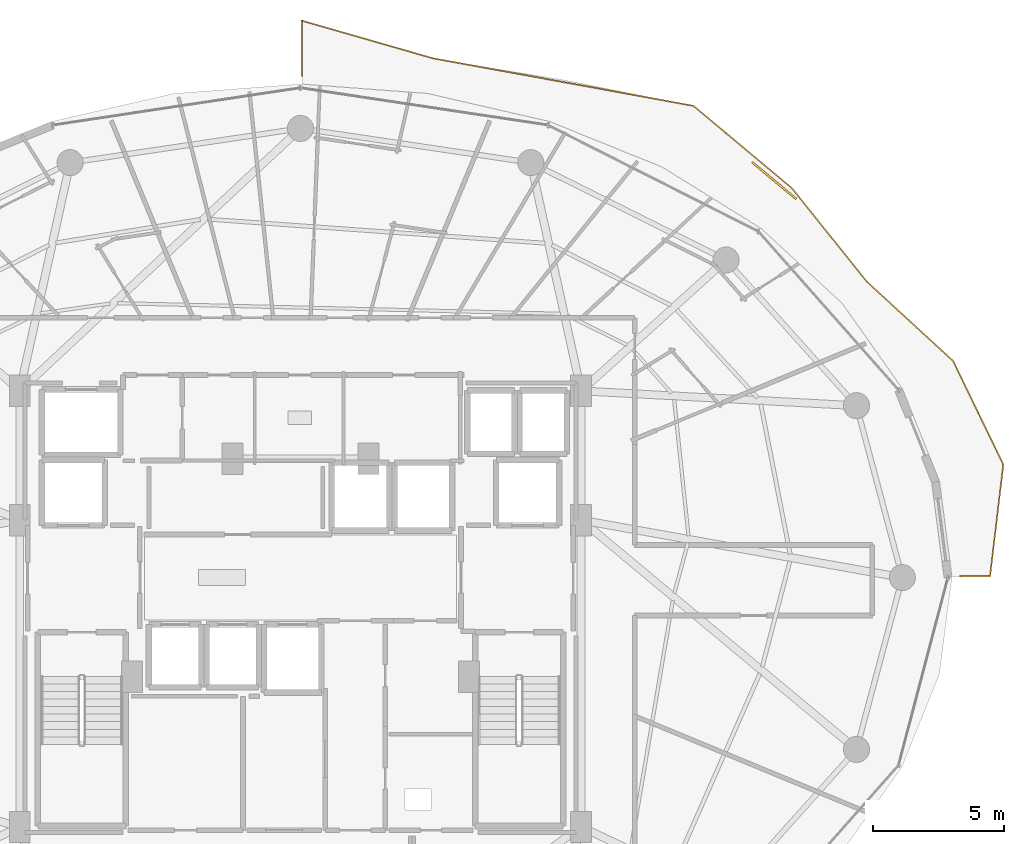
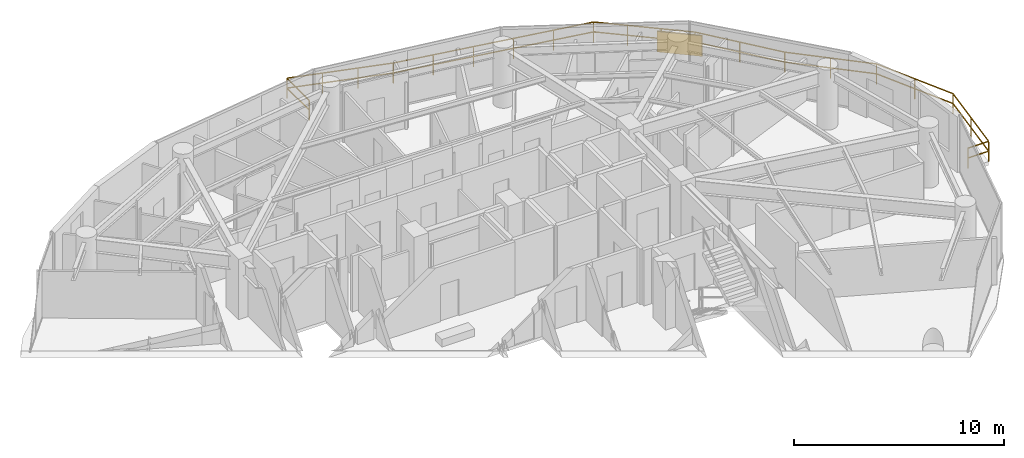
# One storey, part 27 of 28: 2 railings, 1 shading device.
"""IFC4 building model written with IfcOpenShell, lengths in metres."""

from ifc_helpers import new_model, si_unit, direction, frame, origin, origin_2d, place, context, subcontext, project, spatial, rectangle, extrude, material, type_object, element, save


model = new_model("IFC4")

# Units and contexts
model_context = context("Model", 3, precision=1e-05, world=origin(), true_north=direction((0.0, 1.0)))
body_context = subcontext(model_context, "Body", "Model", "MODEL_VIEW")
ifc_project = project(units=[si_unit("LENGTHUNIT", "METRE"), si_unit("AREAUNIT", "SQUARE_METRE"), si_unit("VOLUMEUNIT", "CUBIC_METRE"), si_unit("PLANEANGLEUNIT", "RADIAN"), si_unit("MASSUNIT", "GRAM", prefix="KILO")], contexts=[model_context])

# Site, building, storey
site_placement = place(None, origin())
site = spatial("IfcSite", under=ifc_project, at=site_placement, CompositionType="ELEMENT")
building_placement = place(site_placement, origin())
building = spatial("IfcBuilding", under=site, at=building_placement, Name="Vorneva Point Tower", CompositionType="ELEMENT")
storey_placement = place(building_placement, frame((0.0, 0.0, 139.60009765625)))
storey = spatial("IfcBuildingStorey", under=building, at=storey_placement, Name="L37", CompositionType="ELEMENT", Elevation=139.60009765625)

# Railings
ifc_material = material(Name="Pale anodised aluminium", Category="aluminium")
railing_type = type_object("IfcRailingType", Name="RL-BAL-1200", PredefinedType="BALUSTRADE", material=ifc_material)
railing_1_placement = place(storey_placement, frame((38.050048828125, 47.33056640625, 0.0)))
element("IfcRailing", 1, at=railing_1_placement, inside=storey, type_object=railing_type, Name="L37 Wave Balcony Balustrade NE.1", PredefinedType="BALUSTRADE", context=body_context, shape_type="SweptSolid", body=[
    extrude(rectangle(XDim=0.048095703125, YDim=0.048095703125, at=origin_2d()), frame((0.0, 0.0, 1.17578125), z_axis=(0.0, -1.0, 0.0), x_axis=(1.0, 0.0, 0.0)), (0.0, 0.0, 1.0), 2.11328125),
    extrude(rectangle(XDim=0.048095703125, YDim=0.048095703125, at=origin_2d()), frame((0.0, 0.0, 0.60009765625), z_axis=(0.0, -1.0, 0.0), x_axis=(1.0, 0.0, 0.0)), (0.0, 0.0, 1.0), 2.11328125),
    extrude(rectangle(XDim=0.0419921875, YDim=0.0419921875, at=origin_2d()), origin(), (0.0, 0.0, 1.0), 1.15185546875),
    extrude(rectangle(XDim=0.0419921875, YDim=0.0419921875, at=origin_2d()), frame((0.0, -2.11328125, 0.0)), (0.0, 0.0, 1.0), 1.15185546875),
])
railing_2_placement = place(storey_placement, frame((63.26611328125, 26.050048828125, 0.0)))
element("IfcRailing", 2, at=railing_2_placement, inside=storey, type_object=railing_type, Name="L37 Wave Balcony Balustrade NE.2", PredefinedType="BALUSTRADE", context=body_context, shape_type="SweptSolid", body=[
    extrude(rectangle(XDim=0.048095703125, YDim=0.048095703125, at=origin_2d()), frame((0.0, 0.0, 1.17578125), z_axis=(1.0, 0.0, 0.0), x_axis=(0.0, 1.0, 0.0)), (0.0, 0.0, 1.0), 1.144775390625),
    extrude(rectangle(XDim=0.048095703125, YDim=0.048095703125, at=origin_2d()), frame((0.0, 0.0, 0.60009765625), z_axis=(1.0, 0.0, 0.0), x_axis=(0.0, 1.0, 0.0)), (0.0, 0.0, 1.0), 1.144775390625),
    extrude(rectangle(XDim=0.048095703125, YDim=0.048095703125, at=origin_2d()), frame((1.144775390625, 0.0, 1.17578125), z_axis=(0.11803736468, 0.993009154308, 0.0), x_axis=(-0.993009154308, 0.11803736468, 0.0)), (0.0, 0.0, 1.0), 4.310302734375),
    extrude(rectangle(XDim=0.048095703125, YDim=0.048095703125, at=origin_2d()), frame((1.144775390625, 0.0, 0.60009765625), z_axis=(0.11803736468, 0.993009154308, 0.0), x_axis=(-0.993009154308, 0.11803736468, 0.0)), (0.0, 0.0, 1.0), 4.310302734375),
    extrude(rectangle(XDim=0.048095703125, YDim=0.048095703125, at=origin_2d()), frame((1.653564453125, 4.2802734375, 1.17578125), z_axis=(-0.436213714264, 0.899843094927, 0.0), x_axis=(-0.899843094927, -0.436213714264, 0.0)), (0.0, 0.0, 1.0), 4.407958984375),
    extrude(rectangle(XDim=0.048095703125, YDim=0.048095703125, at=origin_2d()), frame((1.653564453125, 4.2802734375, 0.60009765625), z_axis=(-0.436213714264, 0.899843094927, 0.0), x_axis=(-0.899843094927, -0.436213714264, 0.0)), (0.0, 0.0, 1.0), 4.407958984375),
    extrude(rectangle(XDim=0.048095703125, YDim=0.048095703125, at=origin_2d()), frame((-0.269287109375, 8.246826171875, 1.17578125), z_axis=(-0.735992788181, 0.67698937639, 0.0), x_axis=(-0.67698937639, -0.735992788181, 0.0)), (0.0, 0.0, 1.0), 4.489501953125),
    extrude(rectangle(XDim=0.048095703125, YDim=0.048095703125, at=origin_2d()), frame((-0.269287109375, 8.246826171875, 0.60009765625), z_axis=(-0.735992788181, 0.67698937639, 0.0), x_axis=(-0.67698937639, -0.735992788181, 0.0)), (0.0, 0.0, 1.0), 4.489501953125),
    extrude(rectangle(XDim=0.048095703125, YDim=0.048095703125, at=origin_2d()), frame((-3.573486328125, 11.2861328125, 1.17578125), z_axis=(-0.625595847839, 0.780147316324, 0.0), x_axis=(-0.780147316324, -0.625595847839, 0.0)), (0.0, 0.0, 1.0), 4.592041015625),
    extrude(rectangle(XDim=0.048095703125, YDim=0.048095703125, at=origin_2d()), frame((-3.573486328125, 11.2861328125, 0.60009765625), z_axis=(-0.625595847839, 0.780147316324, 0.0), x_axis=(-0.780147316324, -0.625595847839, 0.0)), (0.0, 0.0, 1.0), 4.592041015625),
    extrude(rectangle(XDim=0.048095703125, YDim=0.048095703125, at=origin_2d()), frame((-6.4462890625, 14.86865234375, 1.17578125), z_axis=(-0.767360639306, 0.64121575873, 0.0), x_axis=(-0.64121575873, -0.767360639306, 0.0)), (0.0, 0.0, 1.0), 4.91015625),
    extrude(rectangle(XDim=0.048095703125, YDim=0.048095703125, at=origin_2d()), frame((-6.4462890625, 14.86865234375, 0.60009765625), z_axis=(-0.767360639306, 0.64121575873, 0.0), x_axis=(-0.64121575873, -0.767360639306, 0.0)), (0.0, 0.0, 1.0), 4.91015625),
    extrude(rectangle(XDim=0.048095703125, YDim=0.048095703125, at=origin_2d()), frame((-10.214111328125, 18.01708984375, 1.17578125), z_axis=(-0.98373796835, 0.17960960338, 0.0), x_axis=(-0.17960960338, -0.98373796835, 0.0)), (0.0, 0.0, 1.0), 10.145751953125),
    extrude(rectangle(XDim=0.048095703125, YDim=0.048095703125, at=origin_2d()), frame((-10.214111328125, 18.01708984375, 0.60009765625), z_axis=(-0.98373796835, 0.17960960338, 0.0), x_axis=(-0.17960960338, -0.98373796835, 0.0)), (0.0, 0.0, 1.0), 10.145751953125),
    extrude(rectangle(XDim=0.048095703125, YDim=0.048095703125, at=origin_2d()), frame((-20.19482421875, 19.83935546875, 1.17578125), z_axis=(-0.96119346626, 0.275875189932, 0.0), x_axis=(-0.275875189932, -0.96119346626, 0.0)), (0.0, 0.0, 1.0), 5.223876953125),
    extrude(rectangle(XDim=0.048095703125, YDim=0.048095703125, at=origin_2d()), frame((-20.19482421875, 19.83935546875, 0.60009765625), z_axis=(-0.96119346626, 0.275875189932, 0.0), x_axis=(-0.275875189932, -0.96119346626, 0.0)), (0.0, 0.0, 1.0), 5.223876953125),
    extrude(rectangle(XDim=0.0419921875, YDim=0.0419921875, at=origin_2d()), origin(), (0.0, 0.0, 1.0), 1.15185546875),
    extrude(rectangle(XDim=0.0419921875, YDim=0.0419921875, at=origin_2d()), frame((1.144775390625, 0.0, 0.0)), (0.0, 0.0, 1.0), 1.15185546875),
    extrude(rectangle(XDim=0.0419921875, YDim=0.0419921875, at=origin_2d()), frame((1.399169921875, 2.14013671875, 0.0)), (0.0, 0.0, 1.0), 1.15185546875),
    extrude(rectangle(XDim=0.0419921875, YDim=0.0419921875, at=origin_2d()), frame((1.653564453125, 4.2802734375, 0.0)), (0.0, 0.0, 1.0), 1.15185546875),
    extrude(rectangle(XDim=0.0419921875, YDim=0.0419921875, at=origin_2d()), frame((0.692138671875, 6.263671875, 0.0)), (0.0, 0.0, 1.0), 1.15185546875),
    extrude(rectangle(XDim=0.0419921875, YDim=0.0419921875, at=origin_2d()), frame((-0.269287109375, 8.246826171875, 0.0)), (0.0, 0.0, 1.0), 1.15185546875),
    extrude(rectangle(XDim=0.0419921875, YDim=0.0419921875, at=origin_2d()), frame((-1.92138671875, 9.7666015625, 0.0)), (0.0, 0.0, 1.0), 1.15185546875),
    extrude(rectangle(XDim=0.0419921875, YDim=0.0419921875, at=origin_2d()), frame((-3.573486328125, 11.2861328125, 0.0)), (0.0, 0.0, 1.0), 1.15185546875),
    extrude(rectangle(XDim=0.0419921875, YDim=0.0419921875, at=origin_2d()), frame((-5.009765625, 13.077392578125, 0.0)), (0.0, 0.0, 1.0), 1.15185546875),
    extrude(rectangle(XDim=0.0419921875, YDim=0.0419921875, at=origin_2d()), frame((-6.4462890625, 14.86865234375, 0.0)), (0.0, 0.0, 1.0), 1.15185546875),
    extrude(rectangle(XDim=0.0419921875, YDim=0.0419921875, at=origin_2d()), frame((-7.7021484375, 15.918212890625, 0.0)), (0.0, 0.0, 1.0), 1.15185546875),
    extrude(rectangle(XDim=0.0419921875, YDim=0.0419921875, at=origin_2d()), frame((-8.958251953125, 16.967529296875, 0.0)), (0.0, 0.0, 1.0), 1.15185546875),
    extrude(rectangle(XDim=0.0419921875, YDim=0.0419921875, at=origin_2d()), frame((-10.214111328125, 18.01708984375, 0.0)), (0.0, 0.0, 1.0), 1.15185546875),
    extrude(rectangle(XDim=0.0419921875, YDim=0.0419921875, at=origin_2d()), frame((-12.210205078125, 18.381591796875, 0.0)), (0.0, 0.0, 1.0), 1.15185546875),
    extrude(rectangle(XDim=0.0419921875, YDim=0.0419921875, at=origin_2d()), frame((-14.206298828125, 18.74609375, 0.0)), (0.0, 0.0, 1.0), 1.15185546875),
    extrude(rectangle(XDim=0.0419921875, YDim=0.0419921875, at=origin_2d()), frame((-16.20263671875, 19.1103515625, 0.0)), (0.0, 0.0, 1.0), 1.15185546875),
    extrude(rectangle(XDim=0.0419921875, YDim=0.0419921875, at=origin_2d()), frame((-18.19873046875, 19.474853515625, 0.0)), (0.0, 0.0, 1.0), 1.15185546875),
    extrude(rectangle(XDim=0.0419921875, YDim=0.0419921875, at=origin_2d()), frame((-20.19482421875, 19.83935546875, 0.0)), (0.0, 0.0, 1.0), 1.15185546875),
    extrude(rectangle(XDim=0.0419921875, YDim=0.0419921875, at=origin_2d()), frame((-21.86865234375, 20.31982421875, 0.0)), (0.0, 0.0, 1.0), 1.15185546875),
    extrude(rectangle(XDim=0.0419921875, YDim=0.0419921875, at=origin_2d()), frame((-23.542236328125, 20.800048828125, 0.0)), (0.0, 0.0, 1.0), 1.15185546875),
    extrude(rectangle(XDim=0.0419921875, YDim=0.0419921875, at=origin_2d()), frame((-25.216064453125, 21.280517578125, 0.0)), (0.0, 0.0, 1.0), 1.15185546875),
])

# Shading device
shading_device_type = type_object("IfcShadingDeviceType", Name="SHD-JAL-1200", PredefinedType="JALOUSIE", material=ifc_material)
shading_device_placement = place(storey_placement, frame((56.138427734375, 41.205810546875, -0.02001953125), z_axis=(0.0, 0.0, 1.0), x_axis=(-0.767344248429, 0.641235373636, 0.0)))
element("IfcShadingDevice", 3, at=shading_device_placement, inside=storey, type_object=shading_device_type, Name="L37 Balcony Vertical-Greenery Planter Screen NE.2", PredefinedType="JALOUSIE", context=body_context, shape_type="SweptSolid", body=[
    extrude(rectangle(XDim=2.199951171875, YDim=0.080078125, at=origin_2d()), origin(), (0.0, 0.0, 1.0), 1.199951171875),
])

save(model, "model.ifc")
